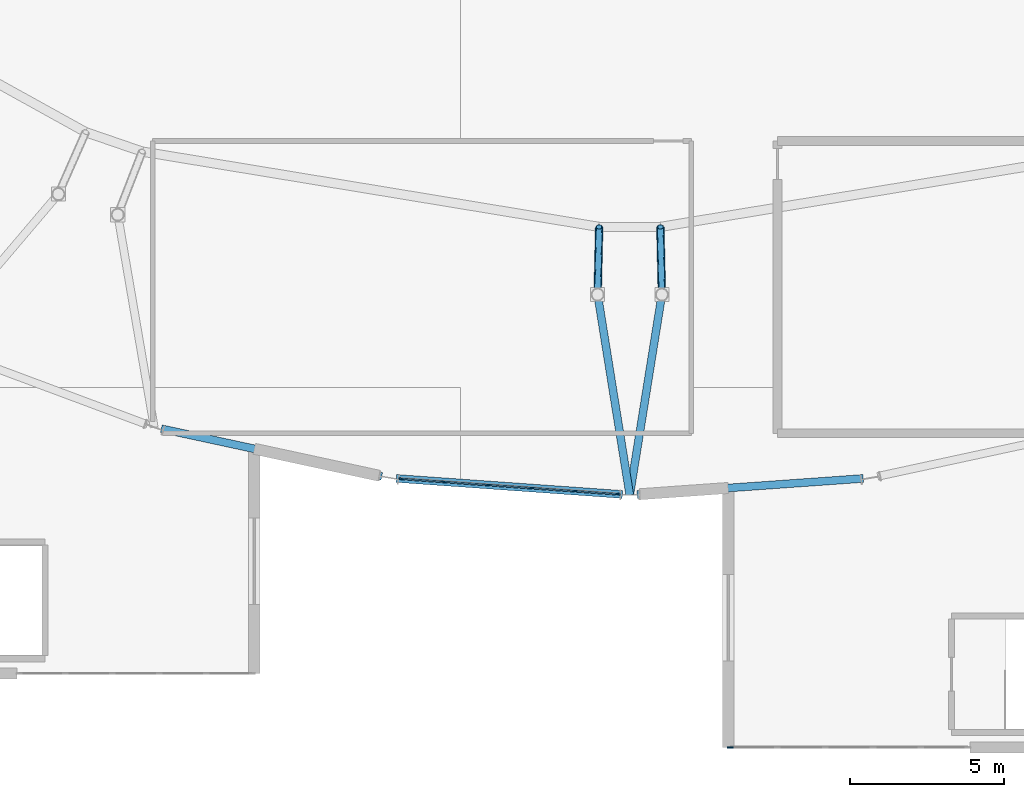
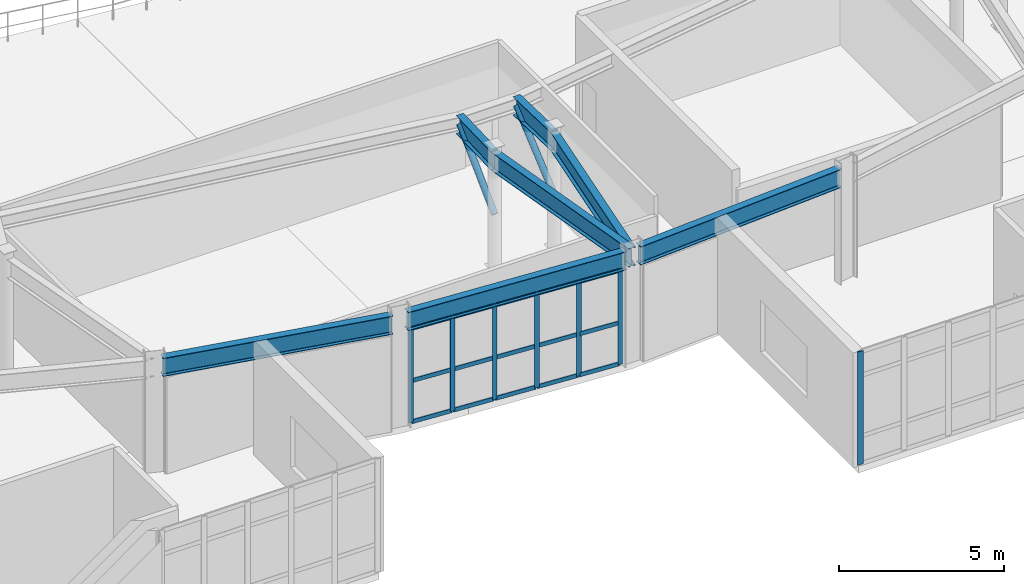
# One storey, part 19 of 48: 24 members, 7 beams, 2 elements without a shape of their own.
"""IFC4 building model written with IfcOpenShell, lengths in metres."""

from ifc_helpers import new_model, si_unit, direction, frame, origin, origin_2d, place, context, subcontext, project, spatial, rectangle, hollow_circle, i_section, extrude, material, material_profile, profile_set, type_object, element, aggregate, save


model = new_model("IFC4")

# Units and contexts
model_context = context("Model", 3, precision=1e-05, world=origin(), true_north=direction((0.0, 1.0)))
body_context = subcontext(model_context, "Body", "Model", "MODEL_VIEW")
ifc_project = project(units=[si_unit("LENGTHUNIT", "METRE"), si_unit("AREAUNIT", "SQUARE_METRE"), si_unit("VOLUMEUNIT", "CUBIC_METRE"), si_unit("PLANEANGLEUNIT", "RADIAN"), si_unit("MASSUNIT", "GRAM", prefix="KILO")], contexts=[model_context])

# Site, building, storey
site_placement = place(None, origin())
site = spatial("IfcSite", under=ifc_project, at=site_placement, CompositionType="ELEMENT")
building_placement = place(site_placement, origin())
building = spatial("IfcBuilding", under=site, at=building_placement, Name="Glasvene Arena", CompositionType="ELEMENT")
storey_placement = place(building_placement, frame((0.0, 0.0, 19.5)))
storey = spatial("IfcBuildingStorey", under=building, at=storey_placement, Name="L04", CompositionType="ELEMENT", Elevation=19.5)

# Beams
ifc_material_1 = material(Name="Steel S355J2", Category="steel")
ifc_material_profile_1 = material_profile(ifc_material_1, i_section(OverallWidth=0.253662109375, OverallDepth=0.68359375, WebThickness=0.012451171875, FlangeThickness=0.01904296875, FilletRadius=0.01513671875, at=origin_2d()), Name="UKB 686x254x140")
ifc_profile_set_1 = profile_set([ifc_material_profile_1], Name="Steel S355J2")
beam_type = type_object("IfcBeamType", Name="BM-GIRD-686", PredefinedType="BEAM", material=ifc_profile_set_1)
beam_1_placement = place(storey_placement, frame((76.78369140625, 30.15185546875, 3.908203125), z_axis=(0.97744150895, -0.211206289161, 0.0), x_axis=(0.211206289161, 0.97744150895, 0.0)))
element("IfcBeam", 1, at=beam_1_placement, inside=storey, type_object=beam_type, Name="Bowl ring chord beam L04-29", PredefinedType="BEAM", context=body_context, shape_type="SweptSolid", body=[
    extrude(i_section(OverallWidth=0.253662109375, OverallDepth=0.68359375, WebThickness=0.012451171875, FlangeThickness=0.01904296875, FilletRadius=0.01513671875, at=origin_2d()), origin(), (0.0, 0.0, 1.0), 7.3251953125),
])
for number, where, z_axis, x_axis, name in (
    (2, (84.417724609375, 28.537109375, 3.908203125), (0.997501616337, -0.070643650844, 0.0), (0.070643650844, 0.997501616337, 0.0), "Bowl ring chord beam L04-30"),
    (3, (92.239501953125, 28.01708984375, 3.908203125), (0.997501616337, 0.070643650844, 0.0), (-0.070643650844, 0.997501616337, 0.0), "Bowl ring chord beam L04-31"),
):
    element("IfcBeam", number, at=place(storey_placement, frame(where, z_axis=z_axis, x_axis=x_axis)), inside=storey, type_object=beam_type, Name=name, PredefinedType="BEAM", context=body_context, shape_type="SweptSolid", body=[
        extrude(i_section(OverallWidth=0.253662109375, OverallDepth=0.68359375, WebThickness=0.012451171875, FlangeThickness=0.01904296875, FilletRadius=0.01513671875, at=origin_2d()), origin(), (0.0, 0.0, 1.0), 7.361083984375),
    ])
beam_2_placement = place(storey_placement, frame((90.956298828125, 34.510009765625, 3.908203125), z_axis=(0.158300997848, -0.987390902369, 0.0), x_axis=(0.987390902369, 0.158300997848, 0.0)))
element("IfcBeam", 4, at=beam_2_placement, inside=storey, type_object=beam_type, Name="Gondola outer floor beam 24", PredefinedType="BEAM", context=body_context, shape_type="SweptSolid", body=[
    extrude(i_section(OverallWidth=0.253662109375, OverallDepth=0.68359375, WebThickness=0.012451171875, FlangeThickness=0.01904296875, FilletRadius=0.01513671875, at=origin_2d()), origin(), (0.0, 0.0, 1.0), 6.59326171875),
])
beam_3_placement = place(storey_placement, frame((91.00634765625, 36.709228515625, 3.908203125), z_axis=(-0.022751657998, -0.999741147527, 0.0), x_axis=(0.999741147527, -0.022751657998, 0.0)))
element("IfcBeam", 5, at=beam_3_placement, inside=storey, type_object=beam_type, Name="Gondola inner bracket beam 24", PredefinedType="BEAM", context=body_context, shape_type="SweptSolid", body=[
    extrude(i_section(OverallWidth=0.253662109375, OverallDepth=0.68359375, WebThickness=0.012451171875, FlangeThickness=0.01904296875, FilletRadius=0.01513671875, at=origin_2d()), origin(), (0.0, 0.0, 1.0), 2.19970703125),
])
beam_4_placement = place(storey_placement, frame((93.043701171875, 34.510009765625, 3.908203125), z_axis=(-0.158300997848, -0.987390902369, 0.0), x_axis=(0.987390902369, -0.158300997848, 0.0)))
element("IfcBeam", 6, at=beam_4_placement, inside=storey, type_object=beam_type, Name="Gondola outer floor beam 25", PredefinedType="BEAM", context=body_context, shape_type="SweptSolid", body=[
    extrude(i_section(OverallWidth=0.253662109375, OverallDepth=0.68359375, WebThickness=0.012451171875, FlangeThickness=0.01904296875, FilletRadius=0.01513671875, at=origin_2d()), origin(), (0.0, 0.0, 1.0), 6.59326171875),
])
beam_5_placement = place(storey_placement, frame((92.99365234375, 36.709228515625, 3.908203125), z_axis=(0.022751657998, -0.999741147527, 0.0), x_axis=(0.999741147527, 0.022751657998, 0.0)))
element("IfcBeam", 7, at=beam_5_placement, inside=storey, type_object=beam_type, Name="Gondola inner bracket beam 25", PredefinedType="BEAM", context=body_context, shape_type="SweptSolid", body=[
    extrude(i_section(OverallWidth=0.253662109375, OverallDepth=0.68359375, WebThickness=0.012451171875, FlangeThickness=0.01904296875, FilletRadius=0.01513671875, at=origin_2d()), origin(), (0.0, 0.0, 1.0), 2.19970703125),
])

# Curtain wall, members
ifc_material_2 = material(Name="Low-emissivity laminated double glazing", Category="glass")
curtain_wall_type_1 = type_object("IfcCurtainWallType", Name="CW-FAC-L04-710x350", PredefinedType="USERDEFINED", material=ifc_material_2)
curtain_wall_1_placement = place(storey_placement, frame((91.633056640625, 28.02587890625, 0.0)))
curtain_wall_1 = element("IfcCurtainWall", 8, at=curtain_wall_1_placement, inside=storey, type_object=curtain_wall_type_1, Name="Unitised curtain wall CW-F-L04-150-881-283-58", ObjectType="CURTAIN WALL", PredefinedType="USERDEFINED")
ifc_material_3 = material(Name="Anodised architectural aluminium", Category="aluminium")
ifc_material_profile_2 = material_profile(ifc_material_3, rectangle(XDim=0.050048828125, YDim=0.159912109375, at=origin_2d()), Name="ALU MULLION 50x160")
ifc_profile_set_2 = profile_set([ifc_material_profile_2], Name="Anodised architectural aluminium")
member_type_1 = type_object("IfcMemberType", Name="CW-MUL-150", PredefinedType="MULLION", material=ifc_profile_set_2)
member_1_placement = place(storey_placement, frame((91.608154296875, 28.02783203125, 0.06005859375), z_axis=(0.0, 0.0, 1.0), x_axis=(-0.070656884566, -0.997500679029, 0.0)))
member_1 = element("IfcMember", 9, at=member_1_placement, type_object=member_type_1, Name="CW-053 mullion 1", PredefinedType="MULLION", context=body_context, shape_type="SweptSolid", body=[
    extrude(rectangle(XDim=0.050048828125, YDim=0.159912109375, at=origin_2d()), origin(), (0.0, 0.0, 1.0), 3.501953125),
])
member_2_placement = place(storey_placement, frame((90.2158203125, 28.12646484375, 0.06005859375), z_axis=(0.0, 0.0, 1.0), x_axis=(-0.070656884566, -0.997500679029, 0.0)))
member_2 = element("IfcMember", 10, at=member_2_placement, type_object=member_type_1, Name="CW-053 mullion 2", PredefinedType="MULLION", context=body_context, shape_type="SweptSolid", body=[
    extrude(rectangle(XDim=0.050048828125, YDim=0.159912109375, at=origin_2d()), origin(), (0.0, 0.0, 1.0), 3.501953125),
])
member_3_placement = place(storey_placement, frame((88.79833984375, 28.226806640625, 0.06005859375), z_axis=(0.0, 0.0, 1.0), x_axis=(-0.070656884566, -0.997500679029, 0.0)))
member_3 = element("IfcMember", 11, at=member_3_placement, type_object=member_type_1, Name="CW-053 mullion 3", PredefinedType="MULLION", context=body_context, shape_type="SweptSolid", body=[
    extrude(rectangle(XDim=0.050048828125, YDim=0.159912109375, at=origin_2d()), origin(), (0.0, 0.0, 1.0), 3.501953125),
])
member_4_placement = place(storey_placement, frame((87.380859375, 28.3271484375, 0.06005859375), z_axis=(0.0, 0.0, 1.0), x_axis=(-0.070656884566, -0.997500679029, 0.0)))
member_4 = element("IfcMember", 12, at=member_4_placement, type_object=member_type_1, Name="CW-053 mullion 4", PredefinedType="MULLION", context=body_context, shape_type="SweptSolid", body=[
    extrude(rectangle(XDim=0.050048828125, YDim=0.159912109375, at=origin_2d()), origin(), (0.0, 0.0, 1.0), 3.501953125),
])
member_5_placement = place(storey_placement, frame((85.96337890625, 28.427490234375, 0.06005859375), z_axis=(0.0, 0.0, 1.0), x_axis=(-0.070656884566, -0.997500679029, 0.0)))
member_5 = element("IfcMember", 13, at=member_5_placement, type_object=member_type_1, Name="CW-053 mullion 5", PredefinedType="MULLION", context=body_context, shape_type="SweptSolid", body=[
    extrude(rectangle(XDim=0.050048828125, YDim=0.159912109375, at=origin_2d()), origin(), (0.0, 0.0, 1.0), 3.501953125),
])
member_6_placement = place(storey_placement, frame((84.571044921875, 28.526123046875, 0.06005859375), z_axis=(0.0, 0.0, 1.0), x_axis=(-0.070656884566, -0.997500679029, 0.0)))
member_6 = element("IfcMember", 14, at=member_6_placement, type_object=member_type_1, Name="CW-053 mullion 6", PredefinedType="MULLION", context=body_context, shape_type="SweptSolid", body=[
    extrude(rectangle(XDim=0.050048828125, YDim=0.159912109375, at=origin_2d()), origin(), (0.0, 0.0, 1.0), 3.501953125),
])

# Curtain wall, member
curtain_wall_type_2 = type_object("IfcCurtainWallType", Name="CW-FAC-L03-777x419", PredefinedType="USERDEFINED", material=ifc_material_2)
curtain_wall_2_placement = place(storey_placement, frame((103.010009765625, 19.800048828125, 0.0)))
curtain_wall_2 = element("IfcCurtainWall", 15, at=curtain_wall_2_placement, inside=storey, type_object=curtain_wall_type_2, Name="Unitised curtain wall CW-F-L04-180-991-198-55", ObjectType="CURTAIN WALL", PredefinedType="USERDEFINED")
ifc_material_profile_3 = material_profile(ifc_material_3, rectangle(XDim=0.050048828125, YDim=0.199951171875, at=origin_2d()), Name="ALU MULLION 50x200")
ifc_profile_set_3 = profile_set([ifc_material_profile_3], Name="Anodised architectural aluminium")
member_type_2 = type_object("IfcMemberType", Name="CW-MUL-180", PredefinedType="MULLION", material=ifc_profile_set_3)
member_7_placement = place(storey_placement, frame((95.264892578125, 19.800048828125, 0.06005859375), z_axis=(0.0, 0.0, 1.0), x_axis=(0.0, -1.0, 0.0)))
member_7 = element("IfcMember", 16, at=member_7_placement, type_object=member_type_2, Name="CW-042 mullion 6", PredefinedType="MULLION", context=body_context, shape_type="SweptSolid", body=[
    extrude(rectangle(XDim=0.050048828125, YDim=0.199951171875, at=origin_2d()), origin(), (0.0, 0.0, 1.0), 4.18994140625),
])
aggregate(curtain_wall_2, [member_7])

# Member
ifc_material_profile_4 = material_profile(ifc_material_3, rectangle(XDim=0.050048828125, YDim=0.14990234375, at=origin_2d()), Name="ALU TRANSOM 50x150")
ifc_profile_set_4 = profile_set([ifc_material_profile_4], Name="Anodised architectural aluminium")
member_type_3 = type_object("IfcMemberType", Name="CW-TRN-150", PredefinedType="USERDEFINED", material=ifc_profile_set_4)
member_8_placement = place(storey_placement, frame((91.583251953125, 28.029541015625, 0.0849609375), z_axis=(-0.997507268322, 0.070563798396, 0.0), x_axis=(-0.070563798396, -0.997507268322, 0.0)))
member_8 = element("IfcMember", 17, at=member_8_placement, type_object=member_type_3, Name="CW-053 transom 1.1", ObjectType="TRANSOM", PredefinedType="USERDEFINED", context=body_context, shape_type="SweptSolid", body=[
    extrude(rectangle(XDim=0.050048828125, YDim=0.14990234375, at=origin_2d()), origin(), (0.0, 0.0, 1.0), 1.345947265625),
])

member_9_placement = place(storey_placement, frame((91.583251953125, 28.029541015625, 1.60302734375), z_axis=(-0.997507268322, 0.070563798396, 0.0), x_axis=(-0.070563798396, -0.997507268322, 0.0)))
member_9 = element("IfcMember", 18, at=member_9_placement, type_object=member_type_3, Name="CW-053 transom 1.2", ObjectType="TRANSOM", PredefinedType="USERDEFINED", context=body_context, shape_type="SweptSolid", body=[
    extrude(rectangle(XDim=0.050048828125, YDim=0.14990234375, at=origin_2d()), origin(), (0.0, 0.0, 1.0), 1.345947265625),
])

member_10_placement = place(storey_placement, frame((91.583251953125, 28.029541015625, 3.537109375), z_axis=(-0.997507268322, 0.070563798396, 0.0), x_axis=(-0.070563798396, -0.997507268322, 0.0)))
member_10 = element("IfcMember", 19, at=member_10_placement, type_object=member_type_3, Name="CW-053 transom 1.3", ObjectType="TRANSOM", PredefinedType="USERDEFINED", context=body_context, shape_type="SweptSolid", body=[
    extrude(rectangle(XDim=0.050048828125, YDim=0.14990234375, at=origin_2d()), origin(), (0.0, 0.0, 1.0), 1.345947265625),
])

member_11_placement = place(storey_placement, frame((90.190673828125, 28.128173828125, 0.0849609375), z_axis=(-0.997497424399, 0.070702816905, 0.0), x_axis=(-0.070702816905, -0.997497424399, 0.0)))
member_11 = element("IfcMember", 20, at=member_11_placement, type_object=member_type_3, Name="CW-053 transom 2.1", ObjectType="TRANSOM", PredefinedType="USERDEFINED", context=body_context, shape_type="SweptSolid", body=[
    extrude(rectangle(XDim=0.050048828125, YDim=0.14990234375, at=origin_2d()), origin(), (0.0, 0.0, 1.0), 1.370849609375),
])

member_12_placement = place(storey_placement, frame((90.190673828125, 28.128173828125, 1.60302734375), z_axis=(-0.997497424399, 0.070702816905, 0.0), x_axis=(-0.070702816905, -0.997497424399, 0.0)))
member_12 = element("IfcMember", 21, at=member_12_placement, type_object=member_type_3, Name="CW-053 transom 2.2", ObjectType="TRANSOM", PredefinedType="USERDEFINED", context=body_context, shape_type="SweptSolid", body=[
    extrude(rectangle(XDim=0.050048828125, YDim=0.14990234375, at=origin_2d()), origin(), (0.0, 0.0, 1.0), 1.370849609375),
])

member_13_placement = place(storey_placement, frame((90.190673828125, 28.128173828125, 3.537109375), z_axis=(-0.997497424399, 0.070702816905, 0.0), x_axis=(-0.070702816905, -0.997497424399, 0.0)))
member_13 = element("IfcMember", 22, at=member_13_placement, type_object=member_type_3, Name="CW-053 transom 2.3", ObjectType="TRANSOM", PredefinedType="USERDEFINED", context=body_context, shape_type="SweptSolid", body=[
    extrude(rectangle(XDim=0.050048828125, YDim=0.14990234375, at=origin_2d()), origin(), (0.0, 0.0, 1.0), 1.370849609375),
])

member_14_placement = place(storey_placement, frame((88.7734375, 28.228515625, 0.0849609375), z_axis=(-0.997498314427, 0.070690258984, 0.0), x_axis=(-0.070690258984, -0.997498314427, 0.0)))
member_14 = element("IfcMember", 23, at=member_14_placement, type_object=member_type_3, Name="CW-053 transom 3.1", ObjectType="TRANSOM", PredefinedType="USERDEFINED", context=body_context, shape_type="SweptSolid", body=[
    extrude(rectangle(XDim=0.050048828125, YDim=0.14990234375, at=origin_2d()), origin(), (0.0, 0.0, 1.0), 1.37109375),
])

member_15_placement = place(storey_placement, frame((88.7734375, 28.228515625, 1.60302734375), z_axis=(-0.997498314427, 0.070690258984, 0.0), x_axis=(-0.070690258984, -0.997498314427, 0.0)))
member_15 = element("IfcMember", 24, at=member_15_placement, type_object=member_type_3, Name="CW-053 transom 3.2", ObjectType="TRANSOM", PredefinedType="USERDEFINED", context=body_context, shape_type="SweptSolid", body=[
    extrude(rectangle(XDim=0.050048828125, YDim=0.14990234375, at=origin_2d()), origin(), (0.0, 0.0, 1.0), 1.37109375),
])

member_16_placement = place(storey_placement, frame((88.7734375, 28.228515625, 3.537109375), z_axis=(-0.997498314427, 0.070690258984, 0.0), x_axis=(-0.070690258984, -0.997498314427, 0.0)))
member_16 = element("IfcMember", 25, at=member_16_placement, type_object=member_type_3, Name="CW-053 transom 3.3", ObjectType="TRANSOM", PredefinedType="USERDEFINED", context=body_context, shape_type="SweptSolid", body=[
    extrude(rectangle(XDim=0.050048828125, YDim=0.14990234375, at=origin_2d()), origin(), (0.0, 0.0, 1.0), 1.37109375),
])

member_17_placement = place(storey_placement, frame((87.35595703125, 28.328857421875, 0.0849609375), z_axis=(-0.997497424399, 0.070702816905, 0.0), x_axis=(-0.070702816905, -0.997497424399, 0.0)))
member_17 = element("IfcMember", 26, at=member_17_placement, type_object=member_type_3, Name="CW-053 transom 4.1", ObjectType="TRANSOM", PredefinedType="USERDEFINED", context=body_context, shape_type="SweptSolid", body=[
    extrude(rectangle(XDim=0.050048828125, YDim=0.14990234375, at=origin_2d()), origin(), (0.0, 0.0, 1.0), 1.370849609375),
])

member_18_placement = place(storey_placement, frame((87.35595703125, 28.328857421875, 1.60302734375), z_axis=(-0.997497424399, 0.070702816905, 0.0), x_axis=(-0.070702816905, -0.997497424399, 0.0)))
member_18 = element("IfcMember", 27, at=member_18_placement, type_object=member_type_3, Name="CW-053 transom 4.2", ObjectType="TRANSOM", PredefinedType="USERDEFINED", context=body_context, shape_type="SweptSolid", body=[
    extrude(rectangle(XDim=0.050048828125, YDim=0.14990234375, at=origin_2d()), origin(), (0.0, 0.0, 1.0), 1.370849609375),
])

member_19_placement = place(storey_placement, frame((87.35595703125, 28.328857421875, 3.537109375), z_axis=(-0.997497424399, 0.070702816905, 0.0), x_axis=(-0.070702816905, -0.997497424399, 0.0)))
member_19 = element("IfcMember", 28, at=member_19_placement, type_object=member_type_3, Name="CW-053 transom 4.3", ObjectType="TRANSOM", PredefinedType="USERDEFINED", context=body_context, shape_type="SweptSolid", body=[
    extrude(rectangle(XDim=0.050048828125, YDim=0.14990234375, at=origin_2d()), origin(), (0.0, 0.0, 1.0), 1.370849609375),
])

member_20_placement = place(storey_placement, frame((85.9384765625, 28.429443359375, 0.0849609375), z_axis=(-0.997507268322, 0.070563798396, 0.0), x_axis=(-0.070563798396, -0.997507268322, 0.0)))
member_20 = element("IfcMember", 29, at=member_20_placement, type_object=member_type_3, Name="CW-053 transom 5.1", ObjectType="TRANSOM", PredefinedType="USERDEFINED", context=body_context, shape_type="SweptSolid", body=[
    extrude(rectangle(XDim=0.050048828125, YDim=0.14990234375, at=origin_2d()), origin(), (0.0, 0.0, 1.0), 1.345947265625),
])

member_21_placement = place(storey_placement, frame((85.9384765625, 28.429443359375, 1.60302734375), z_axis=(-0.997507268322, 0.070563798396, 0.0), x_axis=(-0.070563798396, -0.997507268322, 0.0)))
member_21 = element("IfcMember", 30, at=member_21_placement, type_object=member_type_3, Name="CW-053 transom 5.2", ObjectType="TRANSOM", PredefinedType="USERDEFINED", context=body_context, shape_type="SweptSolid", body=[
    extrude(rectangle(XDim=0.050048828125, YDim=0.14990234375, at=origin_2d()), origin(), (0.0, 0.0, 1.0), 1.345947265625),
])

member_22_placement = place(storey_placement, frame((85.9384765625, 28.429443359375, 3.537109375), z_axis=(-0.997507268322, 0.070563798396, 0.0), x_axis=(-0.070563798396, -0.997507268322, 0.0)))
member_22 = element("IfcMember", 31, at=member_22_placement, type_object=member_type_3, Name="CW-053 transom 5.3", ObjectType="TRANSOM", PredefinedType="USERDEFINED", context=body_context, shape_type="SweptSolid", body=[
    extrude(rectangle(XDim=0.050048828125, YDim=0.14990234375, at=origin_2d()), origin(), (0.0, 0.0, 1.0), 1.345947265625),
])

aggregate(curtain_wall_1, [member_1, member_2, member_3, member_4, member_5, member_6, member_8, member_9, member_10, member_11, member_12, member_13, member_14, member_15, member_16, member_17, member_18, member_19, member_20, member_21, member_22])

# Members
ifc_material_profile_5 = material_profile(ifc_material_1, hollow_circle(Radius=0.109619140625, WallThickness=0.010009765625, at=origin_2d()), Name="CHS 219.1x10.0")
ifc_profile_set_5 = profile_set([ifc_material_profile_5], Name="Steel S355J2")
member_type_4 = type_object("IfcMemberType", Name="MB-WEB-CHS219", PredefinedType="BRACE", material=ifc_profile_set_5)
for number, where, z_axis, x_axis, name in (
    (32, (90.956298828125, 34.510009765625, 1.89990234375), (0.016834129963, 0.739716305895, 0.672708256871), (-0.999741147527, 0.022751657998, 0.0), "Gondola inclined knee strut 24"),
    (33, (93.043701171875, 34.510009765625, 1.89990234375), (-0.016834129963, 0.739716305895, 0.672708256871), (-0.999741147527, -0.022751657998, 0.0), "Gondola inclined knee strut 25"),
):
    element("IfcMember", number, at=place(storey_placement, frame(where, z_axis=z_axis, x_axis=x_axis)), inside=storey, type_object=member_type_4, Name=name, PredefinedType="BRACE", context=body_context, shape_type="SweptSolid", body=[
        extrude(hollow_circle(Radius=0.109619140625, WallThickness=0.010009765625, at=origin_2d()), origin(), (0.0, 0.0, 1.0), 2.97314453125),
    ])

save(model, "model.ifc")
